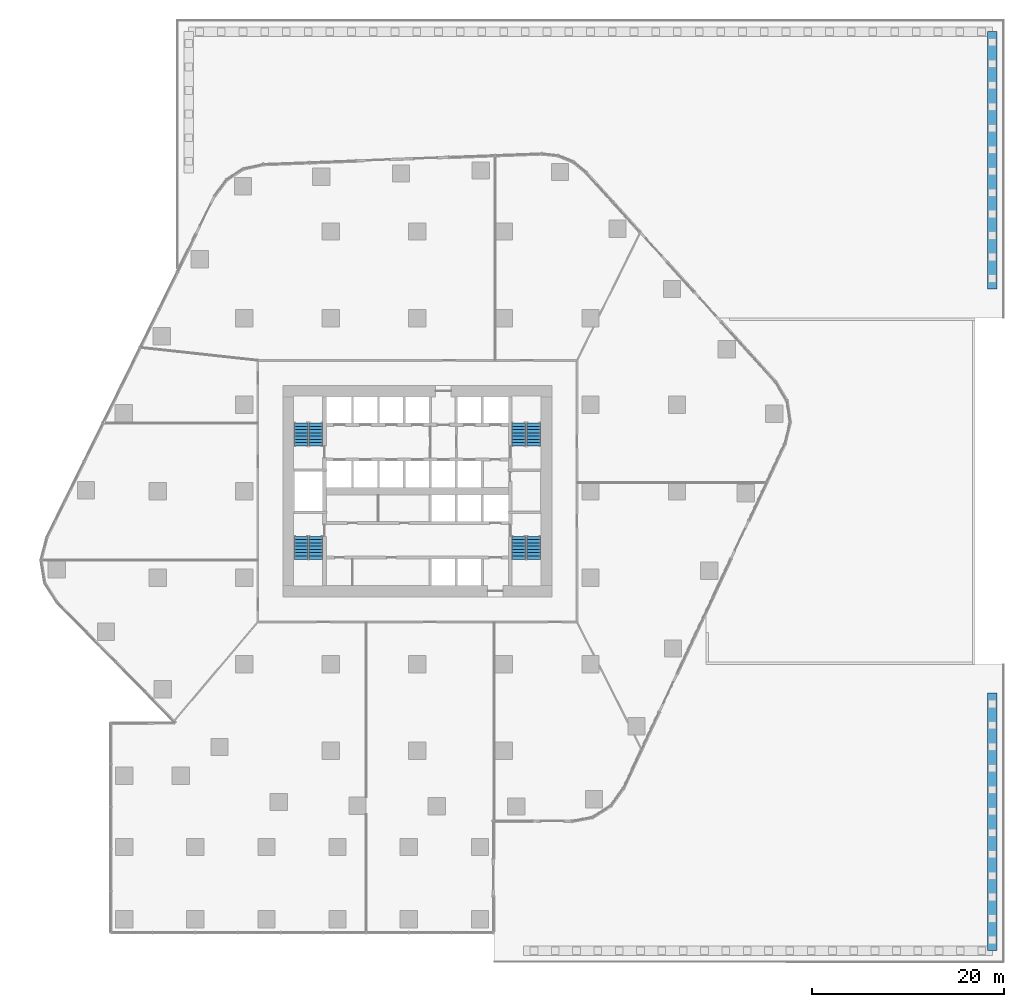
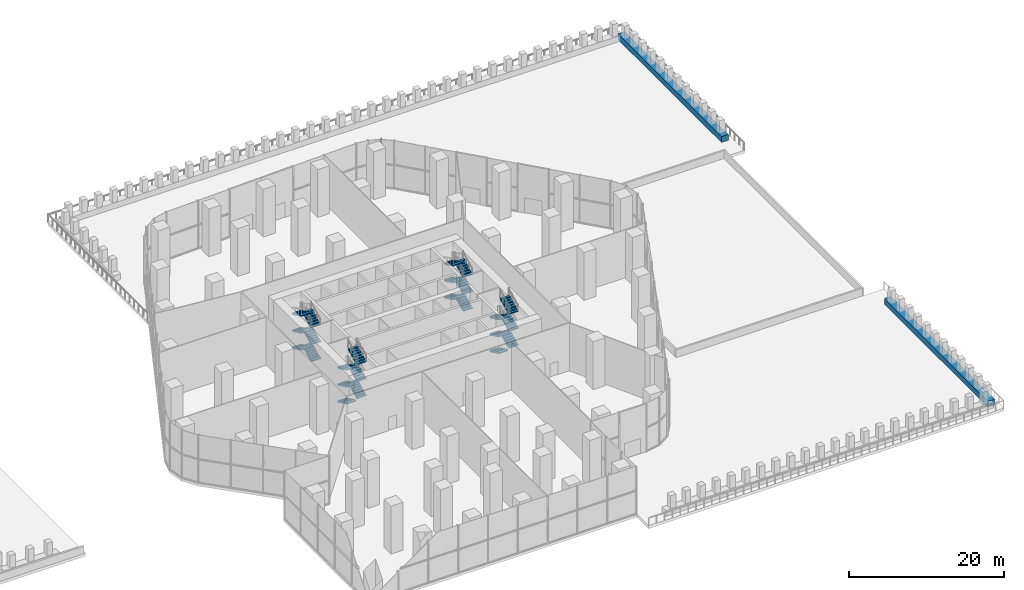
# One storey, part 18 of 22: 24 stair flights, 2 walls, 4 elements without a shape of their own.
"""IFC4 building model written with IfcOpenShell, lengths in metres."""

from ifc_helpers import new_model, si_unit, direction, frame, frame_2d, origin, place, context, subcontext, project, spatial, polyline, rectangle, outline, extrude, material, layer, layer_set, type_object, element, aggregate, save


model = new_model("IFC4")

# Units and contexts
model_context = context("Model", 3, precision=1e-05, world=origin(), true_north=direction((0.0, 1.0)))
body_context = subcontext(model_context, "Body", "Model", "MODEL_VIEW")
ifc_project = project(units=[si_unit("LENGTHUNIT", "METRE"), si_unit("AREAUNIT", "SQUARE_METRE"), si_unit("VOLUMEUNIT", "CUBIC_METRE"), si_unit("PLANEANGLEUNIT", "RADIAN"), si_unit("MASSUNIT", "GRAM", prefix="KILO")], contexts=[model_context])

# Site, building, storey
site_placement = place(None, origin())
site = spatial("IfcSite", under=ifc_project, at=site_placement, CompositionType="ELEMENT")
building_placement = place(site_placement, origin())
building = spatial("IfcBuilding", under=site, at=building_placement, Name="Dongbaek Canopy Tower", CompositionType="ELEMENT")
storey_placement = place(building_placement, frame((0.0, 0.0, 19.0)))
storey = spatial("IfcBuildingStorey", under=building, at=storey_placement, Name="L02", CompositionType="ELEMENT", Elevation=19.0)

# Walls
ifc_material_1 = material(Name="Precast concrete C40/50 planter", Category="concrete")
ifc_layer_1 = layer(ifc_material_1, 1.0)
ifc_layer_set_1 = layer_set([ifc_layer_1], Name="Podium planter trough 1000")
wall_type = type_object("IfcWallType", Name="Podium planter trough 1000", PredefinedType="SOLIDWALL", material=ifc_layer_set_1)
for number, where, z_axis, x_axis, name in (
    (1, (59.789794921875, 47.7861328125, 0.0), (0.0, 0.0, 1.0), (-0.000118509334, -0.999999992978, 0.0), "Podium planter 3"),
    (2, (59.78662109375, -21.0048828125, 0.0), (0.0, 0.0, 1.0), (0.000118509334, -0.999999992978, 0.0), "Podium planter 4"),
):
    element("IfcWall", number, at=place(storey_placement, frame(where, z_axis=z_axis, x_axis=x_axis)), inside=storey, type_object=wall_type, Name=name, PredefinedType="SOLIDWALL", context=body_context, shape_type="SweptSolid", body=[
        extrude(rectangle(XDim=26.78125, YDim=1.0, at=frame_2d((13.390625, 0.0))), origin(), (0.0, 0.0, 1.0), 0.89990234375),
    ])

# Stair, stair flights
ifc_material_2 = material(Name="Concrete C40/50", Category="concrete")
stair_type = type_object("IfcStairType", Name="Core exit stair", PredefinedType="HALF_TURN_STAIR", material=ifc_material_2)
stair_1_placement = place(storey_placement, origin())
stair_1 = element("IfcStair", 3, at=stair_1_placement, inside=storey, type_object=stair_type, Name="L02 exit stair A", PredefinedType="HALF_TURN_STAIR")
ifc_material_3 = material(Name="Concrete C40/50", Category="concrete")
ifc_layer_2 = layer(ifc_material_3, 0.14990234375)
ifc_layer_set_2 = layer_set([ifc_layer_2], Name="Core stair flight 150 waist")
stair_flight_type = type_object("IfcStairFlightType", Name="Core stair flight 150 waist", PredefinedType="STRAIGHT", material=ifc_layer_set_2)
stair_flight_1_placement = place(storey_placement, frame((12.10009765625, 4.699951171875, 0.0), z_axis=(0.0, 0.0, 1.0), x_axis=(0.0, 1.0, 0.0)))
stair_flight_1 = element("IfcStairFlight", 4, at=stair_flight_1_placement, type_object=stair_flight_type, Name="ST-A flight 1", NumberOfRisers=8, NumberOfTreads=7, PredefinedType="STRAIGHT", RiserHeight=0.166666667, TreadLength=0.34, context=body_context, shape_type="SweptSolid", body=[
    extrude(outline(polyline([(0.0, 0.0), (0.0, 0.166748046875), (0.340087890625, 0.166748046875), (0.340087890625, 0.333251953125), (0.679931640625, 0.333251953125), (0.679931640625, 0.5), (1.02001953125, 0.5), (1.02001953125, 0.666748046875), (1.360107421875, 0.666748046875), (1.360107421875, 0.833251953125), (1.699951171875, 0.833251953125), (1.699951171875, 1.0), (2.0400390625, 1.0), (2.0400390625, 1.166748046875), (2.3798828125, 1.166748046875), (2.3798828125, 1.333251953125), (2.3798828125, 0.999755859375), (0.340576171875, 0.0), (0.0, 0.0)])), frame((0.0, 0.699951171875, 0.0), z_axis=(0.0, -1.0, 0.0), x_axis=(1.0, 0.0, 0.0)), (0.0, 0.0, 1.0), 1.39990234375),
])
stair_flight_2_placement = place(storey_placement, frame((10.550048828125, 7.080078125, 1.333251953125), z_axis=(0.0, 0.0, 1.0), x_axis=(0.0, -1.0, 0.0)))
stair_flight_2 = element("IfcStairFlight", 5, at=stair_flight_2_placement, type_object=stair_flight_type, Name="ST-A flight 2", NumberOfRisers=8, NumberOfTreads=7, PredefinedType="STRAIGHT", RiserHeight=0.166666667, TreadLength=0.34, context=body_context, shape_type="SweptSolid", body=[
    extrude(outline(polyline([(0.0, 0.0), (0.0, 0.166748046875), (0.340087890625, 0.166748046875), (0.340087890625, 0.333251953125), (0.679931640625, 0.333251953125), (0.679931640625, 0.5), (1.02001953125, 0.5), (1.02001953125, 0.666748046875), (1.360107421875, 0.666748046875), (1.360107421875, 0.833251953125), (1.699951171875, 0.833251953125), (1.699951171875, 1.0), (2.0400390625, 1.0), (2.0400390625, 1.166748046875), (2.3798828125, 1.166748046875), (2.3798828125, 1.333251953125), (2.3798828125, 0.999755859375), (0.340576171875, 0.0), (0.0, 0.0)])), frame((0.0, 0.699951171875, 0.0), z_axis=(0.0, -1.0, 0.0), x_axis=(1.0, 0.0, 0.0)), (0.0, 0.0, 1.0), 1.39990234375),
])
stair_flight_3_placement = place(storey_placement, frame((12.10009765625, 4.699951171875, 2.666748046875), z_axis=(0.0, 0.0, 1.0), x_axis=(0.0, 1.0, 0.0)))
stair_flight_3 = element("IfcStairFlight", 6, at=stair_flight_3_placement, type_object=stair_flight_type, Name="ST-A flight 3", NumberOfRisers=8, NumberOfTreads=7, PredefinedType="STRAIGHT", RiserHeight=0.166666667, TreadLength=0.34, context=body_context, shape_type="SweptSolid", body=[
    extrude(outline(polyline([(0.0, 0.0), (0.0, 0.166748046875), (0.340087890625, 0.166748046875), (0.340087890625, 0.333251953125), (0.679931640625, 0.333251953125), (0.679931640625, 0.5), (1.02001953125, 0.5), (1.02001953125, 0.666748046875), (1.360107421875, 0.666748046875), (1.360107421875, 0.833251953125), (1.699951171875, 0.833251953125), (1.699951171875, 1.0), (2.0400390625, 1.0), (2.0400390625, 1.166748046875), (2.3798828125, 1.166748046875), (2.3798828125, 1.333251953125), (2.3798828125, 0.999755859375), (0.340576171875, 0.0), (0.0, 0.0)])), frame((0.0, 0.699951171875, 0.0), z_axis=(0.0, -1.0, 0.0), x_axis=(1.0, 0.0, 0.0)), (0.0, 0.0, 1.0), 1.39990234375),
])
stair_flight_4_placement = place(storey_placement, frame((10.550048828125, 7.080078125, 4.0), z_axis=(0.0, 0.0, 1.0), x_axis=(0.0, -1.0, 0.0)))
stair_flight_4 = element("IfcStairFlight", 7, at=stair_flight_4_placement, type_object=stair_flight_type, Name="ST-A flight 4", NumberOfRisers=8, NumberOfTreads=7, PredefinedType="STRAIGHT", RiserHeight=0.166666667, TreadLength=0.34, context=body_context, shape_type="SweptSolid", body=[
    extrude(outline(polyline([(0.0, 0.0), (0.0, 0.166748046875), (0.340087890625, 0.166748046875), (0.340087890625, 0.333251953125), (0.679931640625, 0.333251953125), (0.679931640625, 0.5), (1.02001953125, 0.5), (1.02001953125, 0.666748046875), (1.360107421875, 0.666748046875), (1.360107421875, 0.833251953125), (1.699951171875, 0.833251953125), (1.699951171875, 1.0), (2.0400390625, 1.0), (2.0400390625, 1.166748046875), (2.3798828125, 1.166748046875), (2.3798828125, 1.333251953125), (2.3798828125, 0.999755859375), (0.340576171875, 0.0), (0.0, 0.0)])), frame((0.0, 0.699951171875, 0.0), z_axis=(0.0, -1.0, 0.0), x_axis=(1.0, 0.0, 0.0)), (0.0, 0.0, 1.0), 1.39990234375),
])
stair_flight_5_placement = place(storey_placement, frame((12.10009765625, 4.699951171875, 5.333251953125), z_axis=(0.0, 0.0, 1.0), x_axis=(0.0, 1.0, 0.0)))
stair_flight_5 = element("IfcStairFlight", 8, at=stair_flight_5_placement, type_object=stair_flight_type, Name="ST-A flight 5", NumberOfRisers=8, NumberOfTreads=7, PredefinedType="STRAIGHT", RiserHeight=0.166666667, TreadLength=0.34, context=body_context, shape_type="SweptSolid", body=[
    extrude(outline(polyline([(0.0, 0.0), (0.0, 0.166748046875), (0.340087890625, 0.166748046875), (0.340087890625, 0.333251953125), (0.679931640625, 0.333251953125), (0.679931640625, 0.5), (1.02001953125, 0.5), (1.02001953125, 0.666748046875), (1.360107421875, 0.666748046875), (1.360107421875, 0.833251953125), (1.699951171875, 0.833251953125), (1.699951171875, 1.0), (2.0400390625, 1.0), (2.0400390625, 1.166748046875), (2.3798828125, 1.166748046875), (2.3798828125, 1.333251953125), (2.3798828125, 0.999755859375), (0.340576171875, 0.0), (0.0, 0.0)])), frame((0.0, 0.699951171875, 0.0), z_axis=(0.0, -1.0, 0.0), x_axis=(1.0, 0.0, 0.0)), (0.0, 0.0, 1.0), 1.39990234375),
])
stair_flight_6_placement = place(storey_placement, frame((10.550048828125, 7.080078125, 6.666748046875), z_axis=(0.0, 0.0, 1.0), x_axis=(0.0, -1.0, 0.0)))
stair_flight_6 = element("IfcStairFlight", 9, at=stair_flight_6_placement, type_object=stair_flight_type, Name="ST-A flight 6", NumberOfRisers=8, NumberOfTreads=7, PredefinedType="STRAIGHT", RiserHeight=0.166666667, TreadLength=0.34, context=body_context, shape_type="SweptSolid", body=[
    extrude(outline(polyline([(0.0, 0.0), (0.0, 0.166748046875), (0.340087890625, 0.166748046875), (0.340087890625, 0.333251953125), (0.679931640625, 0.333251953125), (0.679931640625, 0.5), (1.02001953125, 0.5), (1.02001953125, 0.666748046875), (1.360107421875, 0.666748046875), (1.360107421875, 0.833251953125), (1.699951171875, 0.833251953125), (1.699951171875, 1.0), (2.0400390625, 1.0), (2.0400390625, 1.166748046875), (2.3798828125, 1.166748046875), (2.3798828125, 1.333251953125), (2.3798828125, 0.999755859375), (0.340576171875, 0.0), (0.0, 0.0)])), frame((0.0, 0.699951171875, 0.0), z_axis=(0.0, -1.0, 0.0), x_axis=(1.0, 0.0, 0.0)), (0.0, 0.0, 1.0), 1.39990234375),
])
aggregate(stair_1, [stair_flight_1, stair_flight_2, stair_flight_3, stair_flight_4, stair_flight_5, stair_flight_6])

stair_2_placement = place(storey_placement, origin())
stair_2 = element("IfcStair", 10, at=stair_2_placement, inside=storey, type_object=stair_type, Name="L02 exit stair C", PredefinedType="HALF_TURN_STAIR")
stair_flight_7_placement = place(storey_placement, frame((-10.550048828125, 4.699951171875, 0.0), z_axis=(0.0, 0.0, 1.0), x_axis=(0.0, 1.0, 0.0)))
stair_flight_7 = element("IfcStairFlight", 11, at=stair_flight_7_placement, type_object=stair_flight_type, Name="ST-C flight 1", NumberOfRisers=8, NumberOfTreads=7, PredefinedType="STRAIGHT", RiserHeight=0.166666667, TreadLength=0.34, context=body_context, shape_type="SweptSolid", body=[
    extrude(outline(polyline([(0.0, 0.0), (0.0, 0.166748046875), (0.340087890625, 0.166748046875), (0.340087890625, 0.333251953125), (0.679931640625, 0.333251953125), (0.679931640625, 0.5), (1.02001953125, 0.5), (1.02001953125, 0.666748046875), (1.360107421875, 0.666748046875), (1.360107421875, 0.833251953125), (1.699951171875, 0.833251953125), (1.699951171875, 1.0), (2.0400390625, 1.0), (2.0400390625, 1.166748046875), (2.3798828125, 1.166748046875), (2.3798828125, 1.333251953125), (2.3798828125, 0.999755859375), (0.340576171875, 0.0), (0.0, 0.0)])), frame((0.0, 0.699951171875, 0.0), z_axis=(0.0, -1.0, 0.0), x_axis=(1.0, 0.0, 0.0)), (0.0, 0.0, 1.0), 1.39990234375),
])
stair_flight_8_placement = place(storey_placement, frame((-12.10009765625, 7.080078125, 1.333251953125), z_axis=(0.0, 0.0, 1.0), x_axis=(0.0, -1.0, 0.0)))
stair_flight_8 = element("IfcStairFlight", 12, at=stair_flight_8_placement, type_object=stair_flight_type, Name="ST-C flight 2", NumberOfRisers=8, NumberOfTreads=7, PredefinedType="STRAIGHT", RiserHeight=0.166666667, TreadLength=0.34, context=body_context, shape_type="SweptSolid", body=[
    extrude(outline(polyline([(0.0, 0.0), (0.0, 0.166748046875), (0.340087890625, 0.166748046875), (0.340087890625, 0.333251953125), (0.679931640625, 0.333251953125), (0.679931640625, 0.5), (1.02001953125, 0.5), (1.02001953125, 0.666748046875), (1.360107421875, 0.666748046875), (1.360107421875, 0.833251953125), (1.699951171875, 0.833251953125), (1.699951171875, 1.0), (2.0400390625, 1.0), (2.0400390625, 1.166748046875), (2.3798828125, 1.166748046875), (2.3798828125, 1.333251953125), (2.3798828125, 0.999755859375), (0.340576171875, 0.0), (0.0, 0.0)])), frame((0.0, 0.699951171875, 0.0), z_axis=(0.0, -1.0, 0.0), x_axis=(1.0, 0.0, 0.0)), (0.0, 0.0, 1.0), 1.39990234375),
])
stair_flight_9_placement = place(storey_placement, frame((-10.550048828125, 4.699951171875, 2.666748046875), z_axis=(0.0, 0.0, 1.0), x_axis=(0.0, 1.0, 0.0)))
stair_flight_9 = element("IfcStairFlight", 13, at=stair_flight_9_placement, type_object=stair_flight_type, Name="ST-C flight 3", NumberOfRisers=8, NumberOfTreads=7, PredefinedType="STRAIGHT", RiserHeight=0.166666667, TreadLength=0.34, context=body_context, shape_type="SweptSolid", body=[
    extrude(outline(polyline([(0.0, 0.0), (0.0, 0.166748046875), (0.340087890625, 0.166748046875), (0.340087890625, 0.333251953125), (0.679931640625, 0.333251953125), (0.679931640625, 0.5), (1.02001953125, 0.5), (1.02001953125, 0.666748046875), (1.360107421875, 0.666748046875), (1.360107421875, 0.833251953125), (1.699951171875, 0.833251953125), (1.699951171875, 1.0), (2.0400390625, 1.0), (2.0400390625, 1.166748046875), (2.3798828125, 1.166748046875), (2.3798828125, 1.333251953125), (2.3798828125, 0.999755859375), (0.340576171875, 0.0), (0.0, 0.0)])), frame((0.0, 0.699951171875, 0.0), z_axis=(0.0, -1.0, 0.0), x_axis=(1.0, 0.0, 0.0)), (0.0, 0.0, 1.0), 1.39990234375),
])
stair_flight_10_placement = place(storey_placement, frame((-12.10009765625, 7.080078125, 4.0), z_axis=(0.0, 0.0, 1.0), x_axis=(0.0, -1.0, 0.0)))
stair_flight_10 = element("IfcStairFlight", 14, at=stair_flight_10_placement, type_object=stair_flight_type, Name="ST-C flight 4", NumberOfRisers=8, NumberOfTreads=7, PredefinedType="STRAIGHT", RiserHeight=0.166666667, TreadLength=0.34, context=body_context, shape_type="SweptSolid", body=[
    extrude(outline(polyline([(0.0, 0.0), (0.0, 0.166748046875), (0.340087890625, 0.166748046875), (0.340087890625, 0.333251953125), (0.679931640625, 0.333251953125), (0.679931640625, 0.5), (1.02001953125, 0.5), (1.02001953125, 0.666748046875), (1.360107421875, 0.666748046875), (1.360107421875, 0.833251953125), (1.699951171875, 0.833251953125), (1.699951171875, 1.0), (2.0400390625, 1.0), (2.0400390625, 1.166748046875), (2.3798828125, 1.166748046875), (2.3798828125, 1.333251953125), (2.3798828125, 0.999755859375), (0.340576171875, 0.0), (0.0, 0.0)])), frame((0.0, 0.699951171875, 0.0), z_axis=(0.0, -1.0, 0.0), x_axis=(1.0, 0.0, 0.0)), (0.0, 0.0, 1.0), 1.39990234375),
])
stair_flight_11_placement = place(storey_placement, frame((-10.550048828125, 4.699951171875, 5.333251953125), z_axis=(0.0, 0.0, 1.0), x_axis=(0.0, 1.0, 0.0)))
stair_flight_11 = element("IfcStairFlight", 15, at=stair_flight_11_placement, type_object=stair_flight_type, Name="ST-C flight 5", NumberOfRisers=8, NumberOfTreads=7, PredefinedType="STRAIGHT", RiserHeight=0.166666667, TreadLength=0.34, context=body_context, shape_type="SweptSolid", body=[
    extrude(outline(polyline([(0.0, 0.0), (0.0, 0.166748046875), (0.340087890625, 0.166748046875), (0.340087890625, 0.333251953125), (0.679931640625, 0.333251953125), (0.679931640625, 0.5), (1.02001953125, 0.5), (1.02001953125, 0.666748046875), (1.360107421875, 0.666748046875), (1.360107421875, 0.833251953125), (1.699951171875, 0.833251953125), (1.699951171875, 1.0), (2.0400390625, 1.0), (2.0400390625, 1.166748046875), (2.3798828125, 1.166748046875), (2.3798828125, 1.333251953125), (2.3798828125, 0.999755859375), (0.340576171875, 0.0), (0.0, 0.0)])), frame((0.0, 0.699951171875, 0.0), z_axis=(0.0, -1.0, 0.0), x_axis=(1.0, 0.0, 0.0)), (0.0, 0.0, 1.0), 1.39990234375),
])
stair_flight_12_placement = place(storey_placement, frame((-12.10009765625, 7.080078125, 6.666748046875), z_axis=(0.0, 0.0, 1.0), x_axis=(0.0, -1.0, 0.0)))
stair_flight_12 = element("IfcStairFlight", 16, at=stair_flight_12_placement, type_object=stair_flight_type, Name="ST-C flight 6", NumberOfRisers=8, NumberOfTreads=7, PredefinedType="STRAIGHT", RiserHeight=0.166666667, TreadLength=0.34, context=body_context, shape_type="SweptSolid", body=[
    extrude(outline(polyline([(0.0, 0.0), (0.0, 0.166748046875), (0.340087890625, 0.166748046875), (0.340087890625, 0.333251953125), (0.679931640625, 0.333251953125), (0.679931640625, 0.5), (1.02001953125, 0.5), (1.02001953125, 0.666748046875), (1.360107421875, 0.666748046875), (1.360107421875, 0.833251953125), (1.699951171875, 0.833251953125), (1.699951171875, 1.0), (2.0400390625, 1.0), (2.0400390625, 1.166748046875), (2.3798828125, 1.166748046875), (2.3798828125, 1.333251953125), (2.3798828125, 0.999755859375), (0.340576171875, 0.0), (0.0, 0.0)])), frame((0.0, 0.699951171875, 0.0), z_axis=(0.0, -1.0, 0.0), x_axis=(1.0, 0.0, 0.0)), (0.0, 0.0, 1.0), 1.39990234375),
])
aggregate(stair_2, [stair_flight_7, stair_flight_8, stair_flight_9, stair_flight_10, stair_flight_11, stair_flight_12])

stair_3_placement = place(storey_placement, origin())
stair_3 = element("IfcStair", 17, at=stair_3_placement, inside=storey, type_object=stair_type, Name="L02 exit stair B", PredefinedType="HALF_TURN_STAIR")
stair_flight_13_placement = place(storey_placement, frame((10.550048828125, -4.699951171875, 0.0), z_axis=(0.0, 0.0, 1.0), x_axis=(0.0, -1.0, 0.0)))
stair_flight_13 = element("IfcStairFlight", 18, at=stair_flight_13_placement, type_object=stair_flight_type, Name="ST-B flight 1", NumberOfRisers=8, NumberOfTreads=7, PredefinedType="STRAIGHT", RiserHeight=0.166666667, TreadLength=0.34, context=body_context, shape_type="SweptSolid", body=[
    extrude(outline(polyline([(0.0, 0.0), (0.0, 0.166748046875), (0.340087890625, 0.166748046875), (0.340087890625, 0.333251953125), (0.679931640625, 0.333251953125), (0.679931640625, 0.5), (1.02001953125, 0.5), (1.02001953125, 0.666748046875), (1.360107421875, 0.666748046875), (1.360107421875, 0.833251953125), (1.699951171875, 0.833251953125), (1.699951171875, 1.0), (2.0400390625, 1.0), (2.0400390625, 1.166748046875), (2.3798828125, 1.166748046875), (2.3798828125, 1.333251953125), (2.3798828125, 0.999755859375), (0.340576171875, 0.0), (0.0, 0.0)])), frame((0.0, 0.699951171875, 0.0), z_axis=(0.0, -1.0, 0.0), x_axis=(1.0, 0.0, 0.0)), (0.0, 0.0, 1.0), 1.39990234375),
])
stair_flight_14_placement = place(storey_placement, frame((12.10009765625, -7.080078125, 1.333251953125), z_axis=(0.0, 0.0, 1.0), x_axis=(0.0, 1.0, 0.0)))
stair_flight_14 = element("IfcStairFlight", 19, at=stair_flight_14_placement, type_object=stair_flight_type, Name="ST-B flight 2", NumberOfRisers=8, NumberOfTreads=7, PredefinedType="STRAIGHT", RiserHeight=0.166666667, TreadLength=0.34, context=body_context, shape_type="SweptSolid", body=[
    extrude(outline(polyline([(0.0, 0.0), (0.0, 0.166748046875), (0.340087890625, 0.166748046875), (0.340087890625, 0.333251953125), (0.679931640625, 0.333251953125), (0.679931640625, 0.5), (1.02001953125, 0.5), (1.02001953125, 0.666748046875), (1.360107421875, 0.666748046875), (1.360107421875, 0.833251953125), (1.699951171875, 0.833251953125), (1.699951171875, 1.0), (2.0400390625, 1.0), (2.0400390625, 1.166748046875), (2.3798828125, 1.166748046875), (2.3798828125, 1.333251953125), (2.3798828125, 0.999755859375), (0.340576171875, 0.0), (0.0, 0.0)])), frame((0.0, 0.699951171875, 0.0), z_axis=(0.0, -1.0, 0.0), x_axis=(1.0, 0.0, 0.0)), (0.0, 0.0, 1.0), 1.39990234375),
])
stair_flight_15_placement = place(storey_placement, frame((10.550048828125, -4.699951171875, 2.666748046875), z_axis=(0.0, 0.0, 1.0), x_axis=(0.0, -1.0, 0.0)))
stair_flight_15 = element("IfcStairFlight", 20, at=stair_flight_15_placement, type_object=stair_flight_type, Name="ST-B flight 3", NumberOfRisers=8, NumberOfTreads=7, PredefinedType="STRAIGHT", RiserHeight=0.166666667, TreadLength=0.34, context=body_context, shape_type="SweptSolid", body=[
    extrude(outline(polyline([(0.0, 0.0), (0.0, 0.166748046875), (0.340087890625, 0.166748046875), (0.340087890625, 0.333251953125), (0.679931640625, 0.333251953125), (0.679931640625, 0.5), (1.02001953125, 0.5), (1.02001953125, 0.666748046875), (1.360107421875, 0.666748046875), (1.360107421875, 0.833251953125), (1.699951171875, 0.833251953125), (1.699951171875, 1.0), (2.0400390625, 1.0), (2.0400390625, 1.166748046875), (2.3798828125, 1.166748046875), (2.3798828125, 1.333251953125), (2.3798828125, 0.999755859375), (0.340576171875, 0.0), (0.0, 0.0)])), frame((0.0, 0.699951171875, 0.0), z_axis=(0.0, -1.0, 0.0), x_axis=(1.0, 0.0, 0.0)), (0.0, 0.0, 1.0), 1.39990234375),
])
stair_flight_16_placement = place(storey_placement, frame((12.10009765625, -7.080078125, 4.0), z_axis=(0.0, 0.0, 1.0), x_axis=(0.0, 1.0, 0.0)))
stair_flight_16 = element("IfcStairFlight", 21, at=stair_flight_16_placement, type_object=stair_flight_type, Name="ST-B flight 4", NumberOfRisers=8, NumberOfTreads=7, PredefinedType="STRAIGHT", RiserHeight=0.166666667, TreadLength=0.34, context=body_context, shape_type="SweptSolid", body=[
    extrude(outline(polyline([(0.0, 0.0), (0.0, 0.166748046875), (0.340087890625, 0.166748046875), (0.340087890625, 0.333251953125), (0.679931640625, 0.333251953125), (0.679931640625, 0.5), (1.02001953125, 0.5), (1.02001953125, 0.666748046875), (1.360107421875, 0.666748046875), (1.360107421875, 0.833251953125), (1.699951171875, 0.833251953125), (1.699951171875, 1.0), (2.0400390625, 1.0), (2.0400390625, 1.166748046875), (2.3798828125, 1.166748046875), (2.3798828125, 1.333251953125), (2.3798828125, 0.999755859375), (0.340576171875, 0.0), (0.0, 0.0)])), frame((0.0, 0.699951171875, 0.0), z_axis=(0.0, -1.0, 0.0), x_axis=(1.0, 0.0, 0.0)), (0.0, 0.0, 1.0), 1.39990234375),
])
stair_flight_17_placement = place(storey_placement, frame((10.550048828125, -4.699951171875, 5.333251953125), z_axis=(0.0, 0.0, 1.0), x_axis=(0.0, -1.0, 0.0)))
stair_flight_17 = element("IfcStairFlight", 22, at=stair_flight_17_placement, type_object=stair_flight_type, Name="ST-B flight 5", NumberOfRisers=8, NumberOfTreads=7, PredefinedType="STRAIGHT", RiserHeight=0.166666667, TreadLength=0.34, context=body_context, shape_type="SweptSolid", body=[
    extrude(outline(polyline([(0.0, 0.0), (0.0, 0.166748046875), (0.340087890625, 0.166748046875), (0.340087890625, 0.333251953125), (0.679931640625, 0.333251953125), (0.679931640625, 0.5), (1.02001953125, 0.5), (1.02001953125, 0.666748046875), (1.360107421875, 0.666748046875), (1.360107421875, 0.833251953125), (1.699951171875, 0.833251953125), (1.699951171875, 1.0), (2.0400390625, 1.0), (2.0400390625, 1.166748046875), (2.3798828125, 1.166748046875), (2.3798828125, 1.333251953125), (2.3798828125, 0.999755859375), (0.340576171875, 0.0), (0.0, 0.0)])), frame((0.0, 0.699951171875, 0.0), z_axis=(0.0, -1.0, 0.0), x_axis=(1.0, 0.0, 0.0)), (0.0, 0.0, 1.0), 1.39990234375),
])
stair_flight_18_placement = place(storey_placement, frame((12.10009765625, -7.080078125, 6.666748046875), z_axis=(0.0, 0.0, 1.0), x_axis=(0.0, 1.0, 0.0)))
stair_flight_18 = element("IfcStairFlight", 23, at=stair_flight_18_placement, type_object=stair_flight_type, Name="ST-B flight 6", NumberOfRisers=8, NumberOfTreads=7, PredefinedType="STRAIGHT", RiserHeight=0.166666667, TreadLength=0.34, context=body_context, shape_type="SweptSolid", body=[
    extrude(outline(polyline([(0.0, 0.0), (0.0, 0.166748046875), (0.340087890625, 0.166748046875), (0.340087890625, 0.333251953125), (0.679931640625, 0.333251953125), (0.679931640625, 0.5), (1.02001953125, 0.5), (1.02001953125, 0.666748046875), (1.360107421875, 0.666748046875), (1.360107421875, 0.833251953125), (1.699951171875, 0.833251953125), (1.699951171875, 1.0), (2.0400390625, 1.0), (2.0400390625, 1.166748046875), (2.3798828125, 1.166748046875), (2.3798828125, 1.333251953125), (2.3798828125, 0.999755859375), (0.340576171875, 0.0), (0.0, 0.0)])), frame((0.0, 0.699951171875, 0.0), z_axis=(0.0, -1.0, 0.0), x_axis=(1.0, 0.0, 0.0)), (0.0, 0.0, 1.0), 1.39990234375),
])
aggregate(stair_3, [stair_flight_13, stair_flight_14, stair_flight_15, stair_flight_16, stair_flight_17, stair_flight_18])

stair_4_placement = place(storey_placement, origin())
stair_4 = element("IfcStair", 24, at=stair_4_placement, inside=storey, type_object=stair_type, Name="L02 exit stair D", PredefinedType="HALF_TURN_STAIR")
stair_flight_19_placement = place(storey_placement, frame((-12.10009765625, -4.699951171875, 0.0), z_axis=(0.0, 0.0, 1.0), x_axis=(0.0, -1.0, 0.0)))
stair_flight_19 = element("IfcStairFlight", 25, at=stair_flight_19_placement, type_object=stair_flight_type, Name="ST-D flight 1", NumberOfRisers=8, NumberOfTreads=7, PredefinedType="STRAIGHT", RiserHeight=0.166666667, TreadLength=0.34, context=body_context, shape_type="SweptSolid", body=[
    extrude(outline(polyline([(0.0, 0.0), (0.0, 0.166748046875), (0.340087890625, 0.166748046875), (0.340087890625, 0.333251953125), (0.679931640625, 0.333251953125), (0.679931640625, 0.5), (1.02001953125, 0.5), (1.02001953125, 0.666748046875), (1.360107421875, 0.666748046875), (1.360107421875, 0.833251953125), (1.699951171875, 0.833251953125), (1.699951171875, 1.0), (2.0400390625, 1.0), (2.0400390625, 1.166748046875), (2.3798828125, 1.166748046875), (2.3798828125, 1.333251953125), (2.3798828125, 0.999755859375), (0.340576171875, 0.0), (0.0, 0.0)])), frame((0.0, 0.699951171875, 0.0), z_axis=(0.0, -1.0, 0.0), x_axis=(1.0, 0.0, 0.0)), (0.0, 0.0, 1.0), 1.39990234375),
])
stair_flight_20_placement = place(storey_placement, frame((-10.550048828125, -7.080078125, 1.333251953125), z_axis=(0.0, 0.0, 1.0), x_axis=(0.0, 1.0, 0.0)))
stair_flight_20 = element("IfcStairFlight", 26, at=stair_flight_20_placement, type_object=stair_flight_type, Name="ST-D flight 2", NumberOfRisers=8, NumberOfTreads=7, PredefinedType="STRAIGHT", RiserHeight=0.166666667, TreadLength=0.34, context=body_context, shape_type="SweptSolid", body=[
    extrude(outline(polyline([(0.0, 0.0), (0.0, 0.166748046875), (0.340087890625, 0.166748046875), (0.340087890625, 0.333251953125), (0.679931640625, 0.333251953125), (0.679931640625, 0.5), (1.02001953125, 0.5), (1.02001953125, 0.666748046875), (1.360107421875, 0.666748046875), (1.360107421875, 0.833251953125), (1.699951171875, 0.833251953125), (1.699951171875, 1.0), (2.0400390625, 1.0), (2.0400390625, 1.166748046875), (2.3798828125, 1.166748046875), (2.3798828125, 1.333251953125), (2.3798828125, 0.999755859375), (0.340576171875, 0.0), (0.0, 0.0)])), frame((0.0, 0.699951171875, 0.0), z_axis=(0.0, -1.0, 0.0), x_axis=(1.0, 0.0, 0.0)), (0.0, 0.0, 1.0), 1.39990234375),
])
stair_flight_21_placement = place(storey_placement, frame((-12.10009765625, -4.699951171875, 2.666748046875), z_axis=(0.0, 0.0, 1.0), x_axis=(0.0, -1.0, 0.0)))
stair_flight_21 = element("IfcStairFlight", 27, at=stair_flight_21_placement, type_object=stair_flight_type, Name="ST-D flight 3", NumberOfRisers=8, NumberOfTreads=7, PredefinedType="STRAIGHT", RiserHeight=0.166666667, TreadLength=0.34, context=body_context, shape_type="SweptSolid", body=[
    extrude(outline(polyline([(0.0, 0.0), (0.0, 0.166748046875), (0.340087890625, 0.166748046875), (0.340087890625, 0.333251953125), (0.679931640625, 0.333251953125), (0.679931640625, 0.5), (1.02001953125, 0.5), (1.02001953125, 0.666748046875), (1.360107421875, 0.666748046875), (1.360107421875, 0.833251953125), (1.699951171875, 0.833251953125), (1.699951171875, 1.0), (2.0400390625, 1.0), (2.0400390625, 1.166748046875), (2.3798828125, 1.166748046875), (2.3798828125, 1.333251953125), (2.3798828125, 0.999755859375), (0.340576171875, 0.0), (0.0, 0.0)])), frame((0.0, 0.699951171875, 0.0), z_axis=(0.0, -1.0, 0.0), x_axis=(1.0, 0.0, 0.0)), (0.0, 0.0, 1.0), 1.39990234375),
])
stair_flight_22_placement = place(storey_placement, frame((-10.550048828125, -7.080078125, 4.0), z_axis=(0.0, 0.0, 1.0), x_axis=(0.0, 1.0, 0.0)))
stair_flight_22 = element("IfcStairFlight", 28, at=stair_flight_22_placement, type_object=stair_flight_type, Name="ST-D flight 4", NumberOfRisers=8, NumberOfTreads=7, PredefinedType="STRAIGHT", RiserHeight=0.166666667, TreadLength=0.34, context=body_context, shape_type="SweptSolid", body=[
    extrude(outline(polyline([(0.0, 0.0), (0.0, 0.166748046875), (0.340087890625, 0.166748046875), (0.340087890625, 0.333251953125), (0.679931640625, 0.333251953125), (0.679931640625, 0.5), (1.02001953125, 0.5), (1.02001953125, 0.666748046875), (1.360107421875, 0.666748046875), (1.360107421875, 0.833251953125), (1.699951171875, 0.833251953125), (1.699951171875, 1.0), (2.0400390625, 1.0), (2.0400390625, 1.166748046875), (2.3798828125, 1.166748046875), (2.3798828125, 1.333251953125), (2.3798828125, 0.999755859375), (0.340576171875, 0.0), (0.0, 0.0)])), frame((0.0, 0.699951171875, 0.0), z_axis=(0.0, -1.0, 0.0), x_axis=(1.0, 0.0, 0.0)), (0.0, 0.0, 1.0), 1.39990234375),
])
stair_flight_23_placement = place(storey_placement, frame((-12.10009765625, -4.699951171875, 5.333251953125), z_axis=(0.0, 0.0, 1.0), x_axis=(0.0, -1.0, 0.0)))
stair_flight_23 = element("IfcStairFlight", 29, at=stair_flight_23_placement, type_object=stair_flight_type, Name="ST-D flight 5", NumberOfRisers=8, NumberOfTreads=7, PredefinedType="STRAIGHT", RiserHeight=0.166666667, TreadLength=0.34, context=body_context, shape_type="SweptSolid", body=[
    extrude(outline(polyline([(0.0, 0.0), (0.0, 0.166748046875), (0.340087890625, 0.166748046875), (0.340087890625, 0.333251953125), (0.679931640625, 0.333251953125), (0.679931640625, 0.5), (1.02001953125, 0.5), (1.02001953125, 0.666748046875), (1.360107421875, 0.666748046875), (1.360107421875, 0.833251953125), (1.699951171875, 0.833251953125), (1.699951171875, 1.0), (2.0400390625, 1.0), (2.0400390625, 1.166748046875), (2.3798828125, 1.166748046875), (2.3798828125, 1.333251953125), (2.3798828125, 0.999755859375), (0.340576171875, 0.0), (0.0, 0.0)])), frame((0.0, 0.699951171875, 0.0), z_axis=(0.0, -1.0, 0.0), x_axis=(1.0, 0.0, 0.0)), (0.0, 0.0, 1.0), 1.39990234375),
])
stair_flight_24_placement = place(storey_placement, frame((-10.550048828125, -7.080078125, 6.666748046875), z_axis=(0.0, 0.0, 1.0), x_axis=(0.0, 1.0, 0.0)))
stair_flight_24 = element("IfcStairFlight", 30, at=stair_flight_24_placement, type_object=stair_flight_type, Name="ST-D flight 6", NumberOfRisers=8, NumberOfTreads=7, PredefinedType="STRAIGHT", RiserHeight=0.166666667, TreadLength=0.34, context=body_context, shape_type="SweptSolid", body=[
    extrude(outline(polyline([(0.0, 0.0), (0.0, 0.166748046875), (0.340087890625, 0.166748046875), (0.340087890625, 0.333251953125), (0.679931640625, 0.333251953125), (0.679931640625, 0.5), (1.02001953125, 0.5), (1.02001953125, 0.666748046875), (1.360107421875, 0.666748046875), (1.360107421875, 0.833251953125), (1.699951171875, 0.833251953125), (1.699951171875, 1.0), (2.0400390625, 1.0), (2.0400390625, 1.166748046875), (2.3798828125, 1.166748046875), (2.3798828125, 1.333251953125), (2.3798828125, 0.999755859375), (0.340576171875, 0.0), (0.0, 0.0)])), frame((0.0, 0.699951171875, 0.0), z_axis=(0.0, -1.0, 0.0), x_axis=(1.0, 0.0, 0.0)), (0.0, 0.0, 1.0), 1.39990234375),
])
aggregate(stair_4, [stair_flight_19, stair_flight_20, stair_flight_21, stair_flight_22, stair_flight_23, stair_flight_24])

save(model, "model.ifc")
